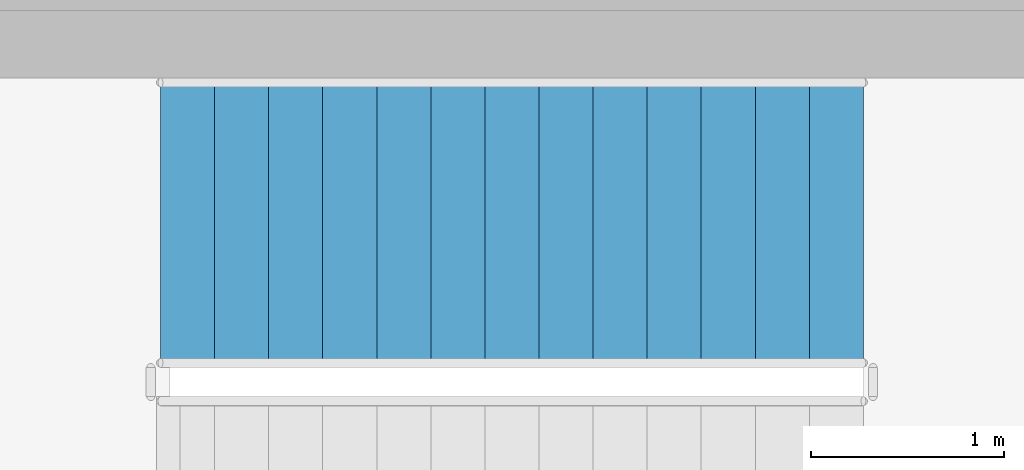
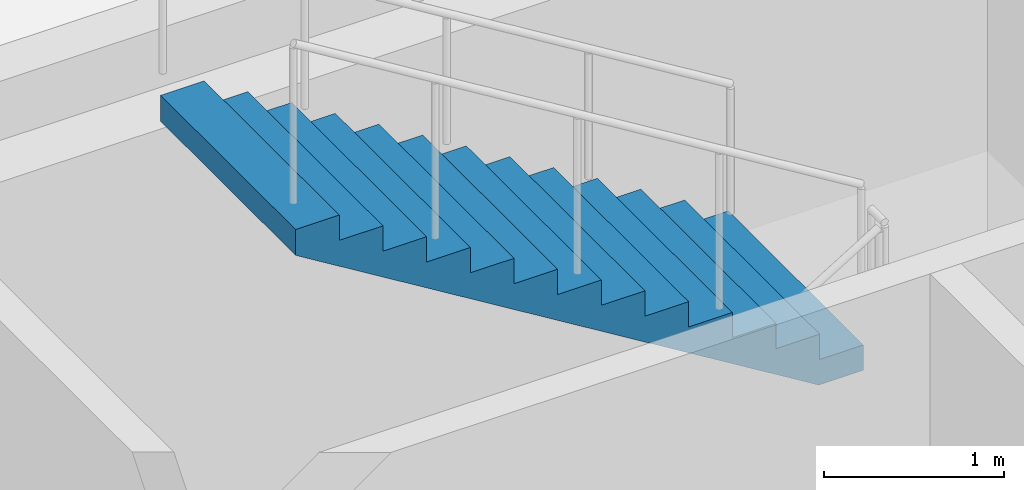
# One storey, part 62 of 91: 1 stair flight, 1 element without a shape of its own.
"""IFC4 building model written with IfcOpenShell, lengths in metres."""

from ifc_helpers import new_model, si_unit, direction, frame, origin, place, context, subcontext, project, spatial, triangles, material, type_object, element, aggregate, save


model = new_model("IFC4")

# Units and contexts
model_context = context("Model", 3, precision=1e-05, world=origin(), true_north=direction((0.0, 1.0)))
body_context = subcontext(model_context, "Body", "Model", "MODEL_VIEW")
ifc_project = project(units=[si_unit("LENGTHUNIT", "METRE"), si_unit("AREAUNIT", "SQUARE_METRE"), si_unit("VOLUMEUNIT", "CUBIC_METRE"), si_unit("PLANEANGLEUNIT", "RADIAN"), si_unit("MASSUNIT", "GRAM", prefix="KILO")], contexts=[model_context])

# Site, building, storey
site_placement = place(None, origin())
site = spatial("IfcSite", under=ifc_project, at=site_placement, CompositionType="ELEMENT")
building_placement = place(site_placement, origin())
building = spatial("IfcBuilding", under=site, at=building_placement, Name="Magnolia Steps Interchange", CompositionType="ELEMENT")
storey_placement = place(building_placement, origin())
storey = spatial("IfcBuildingStorey", under=building, at=storey_placement, Name="L00", CompositionType="ELEMENT", Elevation=0.0)

# Stair, stair flight
ifc_material_1 = material(Name="Concrete C40", Category="concrete")
stair_type = type_object("IfcStairType", Name="Exit stair 1500", PredefinedType="HALF_TURN_STAIR", material=ifc_material_1)
stair_placement = place(storey_placement, origin())
stair = element("IfcStair", 1, at=stair_placement, inside=storey, type_object=stair_type, Name="L00 Stair 7", PredefinedType="HALF_TURN_STAIR")
ifc_material_2 = material(Name="Concrete C40", Category="concrete")
stair_flight_type = type_object("IfcStairFlightType", Name="Exit stair flight", PredefinedType="STRAIGHT", material=ifc_material_2)
stair_flight_placement = place(storey_placement, frame((115.840087890625, 51.949951171875, 2.39990234375), z_axis=(0.0, 0.0, 1.0), x_axis=(-1.0, 0.0, 0.0)))
stair_flight = element("IfcStairFlight", 2, at=stair_flight_placement, type_object=stair_flight_type, Name="Stair 7 flight 2", NumberOfRisers=14, NumberOfTreads=13, PredefinedType="STRAIGHT", RiserHeight=0.171428571, TreadLength=0.28, context=body_context, shape_type="Tessellation", body=[
    triangles([(0.0, -0.75, 0.0), (0.287109375, -0.75, 0.0), (3.639892578125, -0.75, 2.052734375), (3.639892578125, -0.75, 2.228515625), (3.360107421875, -0.75, 2.228515625), (3.360107421875, -0.75, 2.05712890625), (3.080078125, -0.75, 2.05712890625), (3.080078125, -0.75, 1.8857421875), (2.800048828125, -0.75, 1.8857421875), (2.800048828125, -0.75, 1.71435546875), (2.52001953125, -0.75, 1.71435546875), (2.52001953125, -0.75, 1.54296875), (2.239990234375, -0.75, 1.54296875), (2.239990234375, -0.75, 1.371337890625), (1.9599609375, -0.75, 1.371337890625), (1.9599609375, -0.75, 1.199951171875), (1.679931640625, -0.75, 1.199951171875), (1.679931640625, -0.75, 1.028564453125), (1.39990234375, -0.75, 1.028564453125), (1.39990234375, -0.75, 0.857177734375), (1.1201171875, -0.75, 0.857177734375), (1.1201171875, -0.75, 0.685791015625), (0.840087890625, -0.75, 0.685791015625), (0.840087890625, -0.75, 0.514404296875), (0.56005859375, -0.75, 0.514404296875), (0.56005859375, -0.75, 0.3427734375), (0.280029296875, -0.75, 0.3427734375), (0.280029296875, -0.75, 0.17138671875), (0.0, -0.75, 0.17138671875), (0.0, 0.75, 0.0), (0.287109375, 0.75, 0.0), (3.639892578125, 0.75, 2.052734375), (3.639892578125, 0.75, 2.228515625), (3.360107421875, 0.75, 2.228515625), (3.360107421875, 0.75, 2.05712890625), (3.080078125, 0.75, 2.05712890625), (3.080078125, 0.75, 1.8857421875), (2.800048828125, 0.75, 1.8857421875), (2.800048828125, 0.75, 1.71435546875), (2.52001953125, 0.75, 1.71435546875), (2.52001953125, 0.75, 1.54296875), (2.239990234375, 0.75, 1.54296875), (2.239990234375, 0.75, 1.371337890625), (1.9599609375, 0.75, 1.371337890625), (1.9599609375, 0.75, 1.199951171875), (1.679931640625, 0.75, 1.199951171875), (1.679931640625, 0.75, 1.028564453125), (1.39990234375, 0.75, 1.028564453125), (1.39990234375, 0.75, 0.857177734375), (1.1201171875, 0.75, 0.857177734375), (1.1201171875, 0.75, 0.685791015625), (0.840087890625, 0.75, 0.685791015625), (0.840087890625, 0.75, 0.514404296875), (0.56005859375, 0.75, 0.514404296875), (0.56005859375, 0.75, 0.3427734375), (0.280029296875, 0.75, 0.3427734375), (0.280029296875, 0.75, 0.17138671875), (0.0, 0.75, 0.17138671875), (0.0, 0.0, 0.0), (0.0, 0.0, 0.0428466796875), (0.0, 0.0, 0.085693359375), (0.0, 0.0, 0.1285400390625), (0.0, 0.0, 0.17138671875), (0.0, -0.05, 0.0), (0.0, -0.05, 0.17138671875), (0.0, 0.05, 0.0), (0.0, 0.05, 0.17138671875), (0.046671549479166664, 0.0, 0.17138671875), (0.09334309895833333, 0.0, 0.17138671875), (0.1400146484375, 0.0, 0.17138671875), (0.18668619791666666, 0.0, 0.17138671875), (0.23335774739583334, 0.0, 0.17138671875), (0.280029296875, 0.0, 0.17138671875), (0.280029296875, -0.05, 0.17138671875), (0.280029296875, 0.05, 0.17138671875), (0.280029296875, 0.0, 0.2142333984375), (0.280029296875, 0.0, 0.257080078125), (0.280029296875, 0.0, 0.2999267578125), (0.280029296875, 0.0, 0.3427734375), (0.280029296875, -0.05, 0.3427734375), (0.280029296875, 0.05, 0.3427734375), (0.3267008463541667, 0.0, 0.3427734375), (0.3733723958333333, 0.0, 0.3427734375), (0.4200439453125, 0.0, 0.3427734375), (0.46671549479166663, 0.0, 0.3427734375), (0.5133870442708334, 0.0, 0.3427734375), (0.56005859375, 0.0, 0.3427734375), (0.56005859375, -0.05, 0.3427734375), (0.56005859375, 0.05, 0.3427734375), (0.56005859375, 0.0, 0.38568115234375), (0.56005859375, 0.0, 0.4285888671875), (0.56005859375, 0.0, 0.47149658203125), (0.56005859375, 0.0, 0.514404296875), (0.56005859375, -0.05, 0.514404296875), (0.56005859375, 0.05, 0.514404296875), (0.6067301432291666, 0.0, 0.514404296875), (0.6534016927083334, 0.0, 0.514404296875), (0.7000732421875, 0.0, 0.514404296875), (0.7467447916666666, 0.0, 0.514404296875), (0.7934163411458334, 0.0, 0.514404296875), (0.840087890625, 0.0, 0.514404296875), (0.840087890625, -0.05, 0.514404296875), (0.840087890625, 0.05, 0.514404296875), (0.840087890625, 0.0, 0.5572509765625), (0.840087890625, 0.0, 0.60009765625), (0.840087890625, 0.0, 0.6429443359375), (0.840087890625, 0.0, 0.685791015625), (0.840087890625, -0.05, 0.685791015625), (0.840087890625, 0.05, 0.685791015625), (0.8867594401041666, 0.0, 0.685791015625), (0.9334309895833334, 0.0, 0.685791015625), (0.9801025390625, 0.0, 0.685791015625), (1.0267740885416667, 0.0, 0.685791015625), (1.0734456380208333, 0.0, 0.685791015625), (1.1201171875, 0.0, 0.685791015625), (1.1201171875, -0.05, 0.685791015625), (1.1201171875, 0.05, 0.685791015625), (1.1201171875, 0.0, 0.7286376953125), (1.1201171875, 0.0, 0.771484375), (1.1201171875, 0.0, 0.8143310546875), (1.1201171875, 0.0, 0.857177734375), (1.1201171875, -0.05, 0.857177734375), (1.1201171875, 0.05, 0.857177734375), (1.1900634765625, 0.0, 0.857177734375), (1.260009765625, 0.0, 0.857177734375), (1.3299560546875, 0.0, 0.857177734375), (1.39990234375, 0.0, 0.857177734375), (1.39990234375, -0.05, 0.857177734375), (1.39990234375, 0.05, 0.857177734375), (1.39990234375, 0.0, 0.9000244140625), (1.39990234375, 0.0, 0.94287109375), (1.39990234375, 0.0, 0.9857177734375), (1.39990234375, 0.0, 1.028564453125), (1.39990234375, -0.05, 1.028564453125), (1.39990234375, 0.05, 1.028564453125), (1.4465738932291667, 0.0, 1.028564453125), (1.4932454427083333, 0.0, 1.028564453125), (1.5399169921875, 0.0, 1.028564453125), (1.5865885416666667, 0.0, 1.028564453125), (1.6332600911458333, 0.0, 1.028564453125), (1.679931640625, 0.0, 1.028564453125), (1.679931640625, -0.05, 1.028564453125), (1.679931640625, 0.05, 1.028564453125), (1.679931640625, 0.0, 1.0714111328125), (1.679931640625, 0.0, 1.1142578125), (1.679931640625, 0.0, 1.1571044921875), (1.679931640625, 0.0, 1.199951171875), (1.679931640625, -0.05, 1.199951171875), (1.679931640625, 0.05, 1.199951171875), (1.7266031901041667, 0.0, 1.199951171875), (1.7732747395833333, 0.0, 1.199951171875), (1.8199462890625, 0.0, 1.199951171875), (1.8666178385416667, 0.0, 1.199951171875), (1.9132893880208333, 0.0, 1.199951171875), (1.9599609375, 0.0, 1.199951171875), (1.9599609375, -0.05, 1.199951171875), (1.9599609375, 0.05, 1.199951171875), (1.9599609375, 0.0, 1.2427978515625), (1.9599609375, 0.0, 1.28564453125), (1.9599609375, 0.0, 1.3284912109375), (1.9599609375, 0.0, 1.371337890625), (1.9599609375, -0.05, 1.371337890625), (1.9599609375, 0.05, 1.371337890625), (2.0066324869791665, 0.0, 1.371337890625), (2.0533040364583335, 0.0, 1.371337890625), (2.0999755859375, 0.0, 1.371337890625), (2.1466471354166665, 0.0, 1.371337890625), (2.1933186848958335, 0.0, 1.371337890625), (2.239990234375, 0.0, 1.371337890625), (2.239990234375, -0.05, 1.371337890625), (2.239990234375, 0.05, 1.371337890625), (2.239990234375, 0.0, 1.41424560546875), (2.239990234375, 0.0, 1.4571533203125), (2.239990234375, 0.0, 1.50006103515625), (2.239990234375, 0.0, 1.54296875), (2.239990234375, -0.05, 1.54296875), (2.239990234375, 0.05, 1.54296875), (2.2866617838541665, 0.0, 1.54296875), (2.3333333333333335, 0.0, 1.54296875), (2.3800048828125, 0.0, 1.54296875), (2.4266764322916665, 0.0, 1.54296875), (2.4733479817708335, 0.0, 1.54296875), (2.52001953125, 0.0, 1.54296875), (2.52001953125, -0.05, 1.54296875), (2.52001953125, 0.05, 1.54296875), (2.52001953125, 0.0, 1.5858154296875), (2.52001953125, 0.0, 1.628662109375), (2.52001953125, 0.0, 1.6715087890625), (2.52001953125, 0.0, 1.71435546875), (2.52001953125, -0.05, 1.71435546875), (2.52001953125, 0.05, 1.71435546875), (2.5666910807291665, 0.0, 1.71435546875), (2.6133626302083335, 0.0, 1.71435546875), (2.6600341796875, 0.0, 1.71435546875), (2.7067057291666665, 0.0, 1.71435546875), (2.7533772786458335, 0.0, 1.71435546875), (2.800048828125, 0.0, 1.71435546875), (2.800048828125, -0.05, 1.71435546875), (2.800048828125, 0.05, 1.71435546875), (2.800048828125, 0.0, 1.7572021484375), (2.800048828125, 0.0, 1.800048828125), (2.800048828125, 0.0, 1.8428955078125), (2.800048828125, 0.0, 1.8857421875), (2.800048828125, -0.05, 1.8857421875), (2.800048828125, 0.05, 1.8857421875), (2.8467203776041665, 0.0, 1.8857421875), (2.8933919270833335, 0.0, 1.8857421875), (2.9400634765625, 0.0, 1.8857421875), (2.9867350260416665, 0.0, 1.8857421875), (3.0334065755208335, 0.0, 1.8857421875), (3.080078125, 0.0, 1.8857421875), (3.080078125, -0.05, 1.8857421875), (3.080078125, 0.05, 1.8857421875), (3.080078125, 0.0, 1.9285888671875), (3.080078125, 0.0, 1.971435546875), (3.080078125, 0.0, 2.0142822265625), (3.080078125, 0.0, 2.05712890625), (3.080078125, -0.05, 2.05712890625), (3.080078125, 0.05, 2.05712890625), (3.1267496744791665, 0.0, 2.05712890625), (3.1734212239583335, 0.0, 2.05712890625), (3.2200927734375, 0.0, 2.05712890625), (3.2667643229166665, 0.0, 2.05712890625), (3.3134358723958335, 0.0, 2.05712890625), (3.360107421875, 0.0, 2.05712890625), (3.360107421875, -0.05, 2.05712890625), (3.360107421875, 0.05, 2.05712890625), (3.360107421875, 0.0, 2.0999755859375), (3.360107421875, 0.0, 2.142822265625), (3.360107421875, 0.0, 2.1856689453125), (3.360107421875, 0.0, 2.228515625), (3.360107421875, -0.05, 2.228515625), (3.360107421875, 0.05, 2.228515625), (3.4300537109375, 0.0, 2.228515625), (3.5, 0.0, 2.228515625), (3.5699462890625, 0.0, 2.228515625), (3.639892578125, 0.0, 2.228515625), (3.639892578125, -0.05, 2.228515625), (3.639892578125, 0.05, 2.228515625), (3.639892578125, 0.0, 2.1845703125), (3.639892578125, 0.0, 2.140625), (3.639892578125, 0.0, 2.0966796875), (3.639892578125, 0.0, 2.052734375), (3.639892578125, -0.05, 2.052734375), (3.639892578125, 0.05, 2.052734375), (3.582085971174569, 0.0, 2.0173424030172415), (3.524279364224138, 0.0, 1.9819504310344827), (3.466472757273707, 0.0, 1.9465584590517242), (3.408666150323276, 0.0, 1.9111664870689655), (3.3508595433728448, 0.0, 1.8757745150862069), (3.2930529364224137, 0.0, 1.8403825431034484), (3.2352463294719827, 0.0, 1.8049905711206897), (3.1774397225215516, 0.0, 1.769598599137931), (3.1196331155711206, 0.0, 1.7342066271551724), (3.0618265086206895, 0.0, 1.6988146551724137), (3.004019901670259, 0.0, 1.6634226831896552), (2.9462132947198274, 0.0, 1.6280307112068966), (2.888406687769397, 0.0, 1.592638739224138), (2.8306000808189653, 0.0, 1.5572467672413794), (2.7727934738685347, 0.0, 1.5218547952586206), (2.714986866918103, 0.0, 1.486462823275862), (2.6571802599676726, 0.0, 1.4510708512931034), (2.599373653017241, 0.0, 1.4156788793103448), (2.5415670460668105, 0.0, 1.3802869073275863), (2.483760439116379, 0.0, 1.3448949353448276), (2.4259538321659484, 0.0, 1.309502963362069), (2.3681472252155173, 0.0, 1.2741109913793105), (2.3103406182650863, 0.0, 1.2387190193965516), (2.2525340113146552, 0.0, 1.2033270474137931), (2.194727404364224, 0.0, 1.1679350754310345), (2.136920797413793, 0.0, 1.1325431034482758), (2.079114190463362, 0.0, 1.0971511314655173), (2.021307583512931, 0.0, 1.0617591594827587), (1.9635009765625, 0.0, 1.0263671875), (1.905694369612069, 0.0, 0.9909752155172413), (1.847887762661638, 0.0, 0.9555832435344827), (1.7900811557112069, 0.0, 0.9201912715517242), (1.7322745487607758, 0.0, 0.8847992995689655), (1.6744679418103448, 0.0, 0.8494073275862069), (1.6166613348599137, 0.0, 0.8140153556034482), (1.5588547279094827, 0.0, 0.7786233836206897), (1.5010481209590516, 0.0, 0.743231411637931), (1.4432415140086206, 0.0, 0.7078394396551724), (1.3854349070581895, 0.0, 0.6724474676724137), (1.3276283001077585, 0.0, 0.6370554956896552), (1.2698216931573274, 0.0, 0.6016635237068966), (1.2120150862068964, 0.0, 0.5662715517241379), (1.1542084792564653, 0.0, 0.5308795797413792), (1.0964018723060347, 0.0, 0.4954876077586208), (1.0385952653556036, 0.0, 0.4600956357758621), (0.9807886584051726, 0.0, 0.4247036637931034), (0.9229820514547415, 0.0, 0.38931169181034475), (0.8651754445043105, 0.0, 0.3539197198275863), (0.8073688375538794, 0.0, 0.3185277478448276), (0.7495622306034484, 0.0, 0.28313577586206895), (0.6917556236530173, 0.0, 0.24774380387931028), (0.6339490167025863, 0.0, 0.21235183189655182), (0.5761424097521552, 0.0, 0.17695985991379315), (0.5183358028017242, 0.0, 0.14156788793103448), (0.46052919585129315, 0.0, 0.1061759159482758), (0.4027225889008621, 0.0, 0.07078394396551735), (0.34491598195043105, 0.0, 0.03539197198275845), (0.287109375, 0.0, 0.0), (0.287109375, -0.05, 0.0), (0.287109375, 0.05, 0.0), (0.2392578125, 0.0, 0.0), (0.19140625, 0.0, 0.0), (0.1435546875, 0.0, 0.0), (0.095703125, 0.0, 0.0), (0.0478515625, 0.0, 0.0)], [[1, 2, 3], [3, 4, 5], [3, 5, 6], [3, 6, 7], [3, 7, 8], [8, 9, 10], [3, 8, 10], [10, 11, 12], [3, 10, 12], [12, 13, 14], [3, 12, 14], [14, 15, 16], [3, 14, 16], [16, 17, 18], [3, 16, 18], [18, 19, 20], [3, 18, 20], [20, 21, 22], [3, 20, 22], [22, 23, 24], [3, 22, 24], [24, 25, 26], [3, 24, 26], [26, 27, 28], [3, 26, 28], [1, 3, 28], [28, 29, 1], [30, 32, 31], [32, 34, 33], [32, 35, 34], [32, 36, 35], [32, 37, 36], [37, 39, 38], [32, 39, 37], [39, 41, 40], [32, 41, 39], [41, 43, 42], [32, 43, 41], [43, 45, 44], [32, 45, 43], [45, 47, 46], [32, 47, 45], [47, 49, 48], [32, 49, 47], [49, 51, 50], [32, 51, 49], [51, 53, 52], [32, 53, 51], [53, 55, 54], [32, 55, 53], [55, 57, 56], [32, 57, 55], [30, 57, 32], [57, 30, 58], [1, 29, 65], [1, 65, 64], [64, 60, 59], [64, 61, 60], [64, 65, 61], [65, 62, 61], [65, 63, 62], [30, 67, 58], [30, 66, 67], [66, 59, 60], [66, 60, 61], [66, 61, 67], [67, 61, 62], [67, 62, 63], [29, 28, 74], [29, 74, 65], [65, 68, 63], [65, 69, 68], [65, 70, 69], [65, 74, 70], [74, 71, 70], [74, 72, 71], [74, 73, 72], [58, 75, 57], [58, 67, 75], [67, 63, 68], [67, 68, 69], [67, 69, 70], [67, 70, 75], [75, 70, 71], [75, 71, 72], [75, 72, 73], [28, 27, 80], [28, 80, 74], [74, 76, 73], [74, 77, 76], [74, 80, 77], [80, 78, 77], [80, 79, 78], [57, 81, 56], [57, 75, 81], [75, 73, 76], [75, 76, 77], [75, 77, 81], [81, 77, 78], [81, 78, 79], [27, 26, 88], [27, 88, 80], [80, 82, 79], [80, 83, 82], [80, 84, 83], [80, 88, 84], [88, 85, 84], [88, 86, 85], [88, 87, 86], [56, 89, 55], [56, 81, 89], [81, 79, 82], [81, 82, 83], [81, 83, 84], [81, 84, 89], [89, 84, 85], [89, 85, 86], [89, 86, 87], [26, 25, 94], [26, 94, 88], [88, 90, 87], [88, 91, 90], [88, 94, 91], [94, 92, 91], [94, 93, 92], [55, 95, 54], [55, 89, 95], [89, 87, 90], [89, 90, 91], [89, 91, 95], [95, 91, 92], [95, 92, 93], [25, 24, 102], [25, 102, 94], [94, 96, 93], [94, 97, 96], [94, 98, 97], [94, 102, 98], [102, 99, 98], [102, 100, 99], [102, 101, 100], [54, 103, 53], [54, 95, 103], [95, 93, 96], [95, 96, 97], [95, 97, 98], [95, 98, 103], [103, 98, 99], [103, 99, 100], [103, 100, 101], [24, 23, 108], [24, 108, 102], [102, 104, 101], [102, 105, 104], [102, 108, 105], [108, 106, 105], [108, 107, 106], [53, 109, 52], [53, 103, 109], [103, 101, 104], [103, 104, 105], [103, 105, 109], [109, 105, 106], [109, 106, 107], [23, 22, 116], [23, 116, 108], [108, 110, 107], [108, 111, 110], [108, 112, 111], [108, 116, 112], [116, 113, 112], [116, 114, 113], [116, 115, 114], [52, 117, 51], [52, 109, 117], [109, 107, 110], [109, 110, 111], [109, 111, 112], [109, 112, 117], [117, 112, 113], [117, 113, 114], [117, 114, 115], [22, 21, 122], [22, 122, 116], [116, 118, 115], [116, 119, 118], [116, 122, 119], [122, 120, 119], [122, 121, 120], [51, 123, 50], [51, 117, 123], [117, 115, 118], [117, 118, 119], [117, 119, 123], [123, 119, 120], [123, 120, 121], [21, 20, 128], [21, 128, 122], [122, 124, 121], [122, 125, 124], [122, 128, 125], [128, 126, 125], [128, 127, 126], [50, 129, 49], [50, 123, 129], [123, 121, 124], [123, 124, 125], [123, 125, 129], [129, 125, 126], [129, 126, 127], [20, 19, 134], [20, 134, 128], [128, 130, 127], [128, 131, 130], [128, 134, 131], [134, 132, 131], [134, 133, 132], [49, 135, 48], [49, 129, 135], [129, 127, 130], [129, 130, 131], [129, 131, 135], [135, 131, 132], [135, 132, 133], [19, 18, 142], [19, 142, 134], [134, 136, 133], [134, 137, 136], [134, 138, 137], [134, 142, 138], [142, 139, 138], [142, 140, 139], [142, 141, 140], [48, 143, 47], [48, 135, 143], [135, 133, 136], [135, 136, 137], [135, 137, 138], [135, 138, 143], [143, 138, 139], [143, 139, 140], [143, 140, 141], [18, 17, 148], [18, 148, 142], [142, 144, 141], [142, 145, 144], [142, 148, 145], [148, 146, 145], [148, 147, 146], [47, 149, 46], [47, 143, 149], [143, 141, 144], [143, 144, 145], [143, 145, 149], [149, 145, 146], [149, 146, 147], [17, 16, 156], [17, 156, 148], [148, 150, 147], [148, 151, 150], [148, 152, 151], [148, 156, 152], [156, 153, 152], [156, 154, 153], [156, 155, 154], [46, 157, 45], [46, 149, 157], [149, 147, 150], [149, 150, 151], [149, 151, 152], [149, 152, 157], [157, 152, 153], [157, 153, 154], [157, 154, 155], [16, 15, 162], [16, 162, 156], [156, 158, 155], [156, 159, 158], [156, 162, 159], [162, 160, 159], [162, 161, 160], [45, 163, 44], [45, 157, 163], [157, 155, 158], [157, 158, 159], [157, 159, 163], [163, 159, 160], [163, 160, 161], [15, 14, 170], [15, 170, 162], [162, 164, 161], [162, 165, 164], [162, 166, 165], [162, 170, 166], [170, 167, 166], [170, 168, 167], [170, 169, 168], [44, 171, 43], [44, 163, 171], [163, 161, 164], [163, 164, 165], [163, 165, 166], [163, 166, 171], [171, 166, 167], [171, 167, 168], [171, 168, 169], [14, 13, 176], [14, 176, 170], [170, 172, 169], [170, 173, 172], [170, 176, 173], [176, 174, 173], [176, 175, 174], [43, 177, 42], [43, 171, 177], [171, 169, 172], [171, 172, 173], [171, 173, 177], [177, 173, 174], [177, 174, 175], [13, 12, 184], [13, 184, 176], [176, 178, 175], [176, 179, 178], [176, 180, 179], [176, 184, 180], [184, 181, 180], [184, 182, 181], [184, 183, 182], [42, 185, 41], [42, 177, 185], [177, 175, 178], [177, 178, 179], [177, 179, 180], [177, 180, 185], [185, 180, 181], [185, 181, 182], [185, 182, 183], [12, 11, 190], [12, 190, 184], [184, 186, 183], [184, 187, 186], [184, 190, 187], [190, 188, 187], [190, 189, 188], [41, 191, 40], [41, 185, 191], [185, 183, 186], [185, 186, 187], [185, 187, 191], [191, 187, 188], [191, 188, 189], [11, 10, 198], [11, 198, 190], [190, 192, 189], [190, 193, 192], [190, 194, 193], [190, 198, 194], [198, 195, 194], [198, 196, 195], [198, 197, 196], [40, 199, 39], [40, 191, 199], [191, 189, 192], [191, 192, 193], [191, 193, 194], [191, 194, 199], [199, 194, 195], [199, 195, 196], [199, 196, 197], [10, 9, 204], [10, 204, 198], [198, 200, 197], [198, 201, 200], [198, 204, 201], [204, 202, 201], [204, 203, 202], [39, 205, 38], [39, 199, 205], [199, 197, 200], [199, 200, 201], [199, 201, 205], [205, 201, 202], [205, 202, 203], [9, 8, 212], [9, 212, 204], [204, 206, 203], [204, 207, 206], [204, 208, 207], [204, 212, 208], [212, 209, 208], [212, 210, 209], [212, 211, 210], [38, 213, 37], [38, 205, 213], [205, 203, 206], [205, 206, 207], [205, 207, 208], [205, 208, 213], [213, 208, 209], [213, 209, 210], [213, 210, 211], [8, 7, 218], [8, 218, 212], [212, 214, 211], [212, 215, 214], [212, 218, 215], [218, 216, 215], [218, 217, 216], [37, 219, 36], [37, 213, 219], [213, 211, 214], [213, 214, 215], [213, 215, 219], [219, 215, 216], [219, 216, 217], [7, 6, 226], [7, 226, 218], [218, 220, 217], [218, 221, 220], [218, 222, 221], [218, 226, 222], [226, 223, 222], [226, 224, 223], [226, 225, 224], [36, 227, 35], [36, 219, 227], [219, 217, 220], [219, 220, 221], [219, 221, 222], [219, 222, 227], [227, 222, 223], [227, 223, 224], [227, 224, 225], [6, 5, 232], [6, 232, 226], [226, 228, 225], [226, 229, 228], [226, 232, 229], [232, 230, 229], [232, 231, 230], [35, 233, 34], [35, 227, 233], [227, 225, 228], [227, 228, 229], [227, 229, 233], [233, 229, 230], [233, 230, 231], [5, 4, 238], [5, 238, 232], [232, 234, 231], [232, 235, 234], [232, 238, 235], [238, 236, 235], [238, 237, 236], [34, 239, 33], [34, 233, 239], [233, 231, 234], [233, 234, 235], [233, 235, 239], [239, 235, 236], [239, 236, 237], [4, 3, 244], [4, 244, 238], [238, 240, 237], [238, 241, 240], [238, 244, 241], [244, 242, 241], [244, 243, 242], [33, 245, 32], [33, 239, 245], [239, 237, 240], [239, 240, 241], [239, 241, 245], [245, 241, 242], [245, 242, 243], [3, 2, 304], [3, 304, 244], [244, 246, 243], [244, 247, 246], [244, 248, 247], [244, 249, 248], [244, 250, 249], [244, 251, 250], [244, 252, 251], [244, 253, 252], [244, 254, 253], [244, 255, 254], [244, 256, 255], [244, 257, 256], [244, 258, 257], [244, 259, 258], [244, 260, 259], [244, 261, 260], [244, 262, 261], [244, 263, 262], [244, 264, 263], [244, 265, 264], [244, 266, 265], [244, 267, 266], [244, 268, 267], [244, 269, 268], [244, 270, 269], [244, 271, 270], [244, 272, 271], [244, 273, 272], [244, 274, 273], [244, 304, 274], [304, 275, 274], [304, 276, 275], [304, 277, 276], [304, 278, 277], [304, 279, 278], [304, 280, 279], [304, 281, 280], [304, 282, 281], [304, 283, 282], [304, 284, 283], [304, 285, 284], [304, 286, 285], [304, 287, 286], [304, 288, 287], [304, 289, 288], [304, 290, 289], [304, 291, 290], [304, 292, 291], [304, 293, 292], [304, 294, 293], [304, 295, 294], [304, 296, 295], [304, 297, 296], [304, 298, 297], [304, 299, 298], [304, 300, 299], [304, 301, 300], [304, 302, 301], [304, 303, 302], [32, 305, 31], [32, 245, 305], [245, 243, 246], [245, 246, 247], [245, 247, 248], [245, 248, 249], [245, 249, 250], [245, 250, 251], [245, 251, 252], [245, 252, 253], [245, 253, 254], [245, 254, 255], [245, 255, 256], [245, 256, 257], [245, 257, 258], [245, 258, 259], [245, 259, 260], [245, 260, 261], [245, 261, 262], [245, 262, 263], [245, 263, 264], [245, 264, 265], [245, 265, 266], [245, 266, 267], [245, 267, 268], [245, 268, 269], [245, 269, 270], [245, 270, 271], [245, 271, 272], [245, 272, 273], [245, 273, 274], [245, 274, 305], [305, 274, 275], [305, 275, 276], [305, 276, 277], [305, 277, 278], [305, 278, 279], [305, 279, 280], [305, 280, 281], [305, 281, 282], [305, 282, 283], [305, 283, 284], [305, 284, 285], [305, 285, 286], [305, 286, 287], [305, 287, 288], [305, 288, 289], [305, 289, 290], [305, 290, 291], [305, 291, 292], [305, 292, 293], [305, 293, 294], [305, 294, 295], [305, 295, 296], [305, 296, 297], [305, 297, 298], [305, 298, 299], [305, 299, 300], [305, 300, 301], [305, 301, 302], [305, 302, 303], [2, 1, 64], [2, 64, 304], [304, 306, 303], [304, 307, 306], [304, 308, 307], [304, 64, 308], [64, 309, 308], [64, 310, 309], [64, 59, 310], [31, 66, 30], [31, 305, 66], [305, 303, 306], [305, 306, 307], [305, 307, 308], [305, 308, 66], [66, 308, 309], [66, 309, 310], [66, 310, 59]], closed=True),
])
aggregate(stair, [stair_flight])

save(model, "model.ifc")
